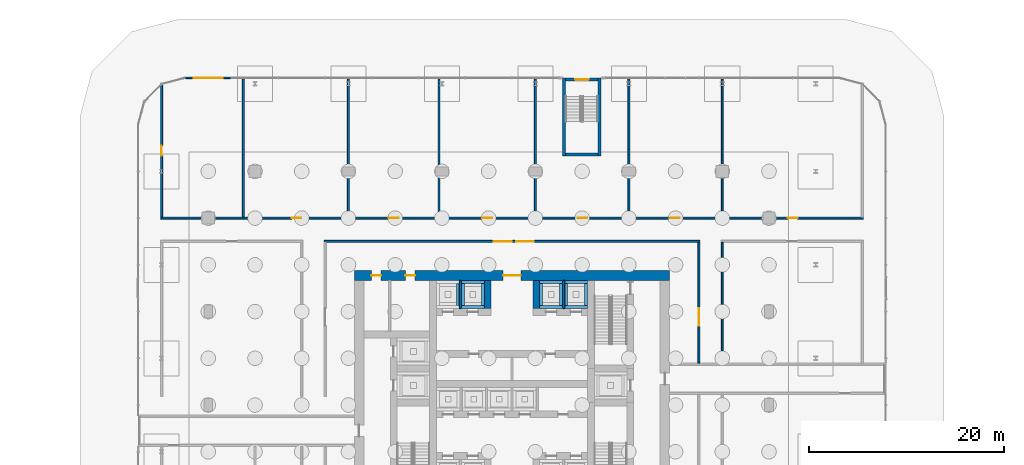
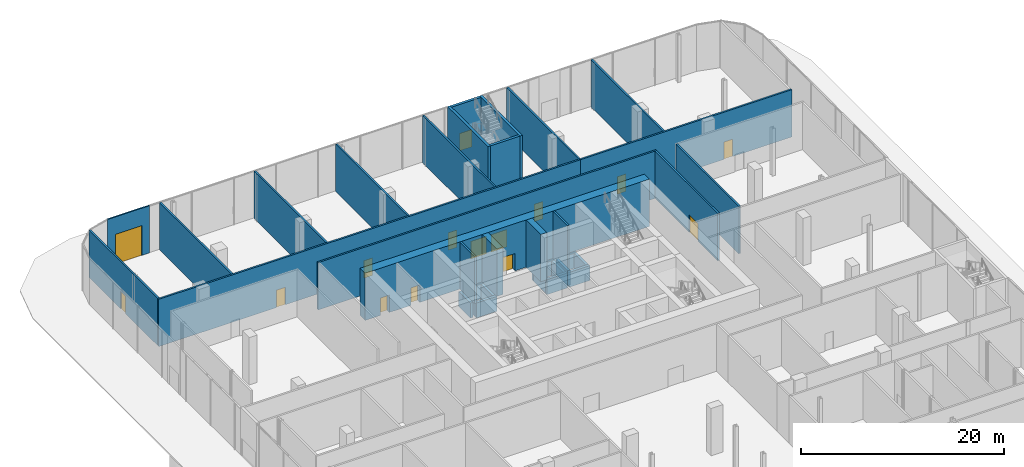
# One storey, part 35 of 44: 35 walls, 15 doors, 15 openings.
"""IFC4 building model written with IfcOpenShell, lengths in metres."""

import ifcopenshell
import ifcopenshell.guid

model = None  # the IFC model being written
_history = None  # IfcOwnerHistory: only IFC2X3 demands one
_inside = {}  # id of a spatial element -> (the spatial element, [elements in it])
_under = {}  # id of a project, library or spatial element -> (it, [spatial elements below it])
_declared = {}  # id of a project -> (the project, [libraries it declares])
_typed = {}  # id of a type object -> (the type object, [elements of that type])
_made_of = {}  # id of a material, layer set ... -> (it, [elements and type objects made of it])


def new_model(schema):
    """Start an empty IFC model of exactly this schema.

    Asked for "IFC4X3", IfcOpenShell would pick the latest addendum, in which some entities
    have other attributes; the version numbers below select the first issue.
    IFC2X3 requires an IfcOwnerHistory on every rooted entity: one is made here for all.
    """
    global model, _history
    if schema == "IFC4X3":
        model = ifcopenshell.file(schema_version=(4, 3, 0, 0))
    else:
        model = ifcopenshell.file(schema=schema)
    _inside.clear()
    _under.clear()
    _declared.clear()
    _typed.clear()
    _made_of.clear()
    _history = None
    if model.schema == "IFC2X3":
        org = make("IfcOrganization", Name="unknown")
        user = make(
            "IfcPersonAndOrganization",
            ThePerson=make("IfcPerson", FamilyName="unknown"),
            TheOrganization=org,
        )
        app = make(
            "IfcApplication",
            ApplicationDeveloper=org,
            Version="unknown",
            ApplicationFullName="unknown",
            ApplicationIdentifier="unknown",
        )
        _history = make(
            "IfcOwnerHistory",
            OwningUser=user,
            OwningApplication=app,
            ChangeAction="ADDED",
            CreationDate=0,
        )
    return model


def make(cls, **values):
    """One entity of the class cls with the attributes given. An attribute that is None is left unset."""
    return model.create_entity(
        cls, **{name: value for name, value in values.items() if value is not None}
    )


def rooted(cls, **values):
    """An entity with a GlobalId (a new one), such as an element, a storey or a relation."""
    return make(cls, GlobalId=ifcopenshell.guid.new(), OwnerHistory=_history, **values)


def si_unit(unit_type, name, prefix=None):
    """IfcSIUnit, for example si_unit("LENGTHUNIT", "METRE", prefix="MILLI")."""
    return make("IfcSIUnit", UnitType=unit_type, Prefix=prefix, Name=name)


def assignment(units):
    """IfcUnitAssignment: the units of a project."""
    return None if units is None else make("IfcUnitAssignment", Units=units)


def point(xyz):
    """IfcCartesianPoint."""
    return None if xyz is None else make("IfcCartesianPoint", Coordinates=xyz)


def direction(xyz):
    """IfcDirection."""
    return None if xyz is None else make("IfcDirection", DirectionRatios=xyz)


def frame(location, z_axis=None, x_axis=None):
    """IfcAxis2Placement3D, a coordinate frame: its origin and axes. An axis left out is left unset."""
    return make(
        "IfcAxis2Placement3D",
        Location=point(location),
        Axis=direction(z_axis),
        RefDirection=direction(x_axis),
    )


def frame_2d(location, x_axis=None):
    """IfcAxis2Placement2D, a coordinate frame in the plane: its origin and x axis."""
    return make(
        "IfcAxis2Placement2D", Location=point(location), RefDirection=direction(x_axis)
    )


def origin():
    """The frame at (0, 0, 0) with its axes left unset."""
    return frame((0.0, 0.0, 0.0))


def place(relative_to, where):
    """IfcLocalPlacement: puts the frame where relative to a parent placement (None: the world)."""
    return make(
        "IfcLocalPlacement", PlacementRelTo=relative_to, RelativePlacement=where
    )


def context(
    kind, dimensions, precision=None, world=None, true_north=None, identifier=None
):
    """IfcGeometricRepresentationContext, for example the 3D "Model" context."""
    return make(
        "IfcGeometricRepresentationContext",
        ContextIdentifier=identifier,
        ContextType=kind,
        CoordinateSpaceDimension=dimensions,
        Precision=precision,
        WorldCoordinateSystem=world,
        TrueNorth=true_north,
    )


def subcontext(parent, identifier, kind, view, scale=None):
    """IfcGeometricRepresentationSubContext, for example "Body" below "Model"."""
    return make(
        "IfcGeometricRepresentationSubContext",
        ContextIdentifier=identifier,
        ContextType=kind,
        ParentContext=parent,
        TargetScale=scale,
        TargetView=view,
    )


def project(units=None, contexts=None):
    """IfcProject with its units and contexts."""
    return rooted(
        "IfcProject",
        Name="project",
        RepresentationContexts=contexts,
        UnitsInContext=assignment(units),
    )


def spatial(cls, under=None, at=None, **own):
    """A site, building, storey or space (cls), placed at a placement, below another one or the project."""
    s = rooted(cls, ObjectPlacement=at, **own)
    if under is not None:
        _under.setdefault(under.id(), (under, []))[1].append(s)
    return s


def profile(cls, at=None, kind="AREA", **sizes):
    """A parametric profile (cls). Its sizes go by their IFC names, for example OverallWidth=200.0."""
    return make(cls, ProfileType=kind, Position=at, **sizes)


def rectangle(**sizes):
    """IfcRectangleProfileDef."""
    return profile("IfcRectangleProfileDef", **sizes)


def extrude(swept, where, along, depth):
    """IfcExtrudedAreaSolid: the profile swept, set in the frame where, extruded along a direction by depth."""
    return make(
        "IfcExtrudedAreaSolid",
        SweptArea=swept,
        Position=where,
        ExtrudedDirection=direction(along),
        Depth=depth,
    )


def shape(context_of_items, identifier, shape_type, items):
    """IfcShapeRepresentation: the items that make up one representation, for example the "Body"."""
    return make(
        "IfcShapeRepresentation",
        ContextOfItems=context_of_items,
        RepresentationIdentifier=identifier,
        RepresentationType=shape_type,
        Items=items,
    )


def material(Name=None, Category=None):
    """IfcMaterial."""
    return make("IfcMaterial", Name=Name, Category=Category)


def layer(
    of_material, thickness, ventilated=None, Name=None, Category=None, Priority=None
):
    """IfcMaterialLayer: one layer of a wall or slab, of a material (None: an air gap)."""
    return make(
        "IfcMaterialLayer",
        Material=of_material,
        LayerThickness=thickness,
        IsVentilated=ventilated,
        Name=Name,
        Category=Category,
        Priority=Priority,
    )


def layer_set(layers, Name=None):
    """IfcMaterialLayerSet."""
    return make("IfcMaterialLayerSet", MaterialLayers=layers, LayerSetName=Name)


def made_of(thing, what):
    """Note that an element or type object is made of a material, layer set ...; save() writes the relation."""
    if what is not None:
        _made_of.setdefault(what.id(), (what, []))[1].append(thing)
    return thing


def type_object(cls, material=None, **own):
    """A type object (cls), such as IfcWallType, which elements share."""
    return made_of(rooted(cls, **own), material)


def element(
    cls,
    number,
    at=None,
    inside=None,
    cuts=None,
    type_object=None,
    material=None,
    context=None,
    identifier="Body",
    shape_type=None,
    held_by="IfcProductDefinitionShape",
    body=None,
    shapes=None,
    **own,
):
    """One element of the class cls, such as IfcWall. Its Tag is "e" and its number.

    at: its placement. inside: the storey or other place that contains it. cuts: it is an
    opening in that element (IfcRelVoidsElement). A single representation is given by context,
    identifier, shape_type and body (its items); several are given by shapes. held_by: the class
    of the entity that holds the representations. save() writes the other relations.
    """
    e = rooted(cls, Tag="e%d" % number, ObjectPlacement=at, **own)
    if body is not None:
        shapes = [shape(context, identifier, shape_type, body)]
    if shapes is not None:
        e.Representation = make(held_by, Representations=shapes)
    if inside is not None:
        _inside.setdefault(inside.id(), (inside, []))[1].append(e)
    if cuts is not None:
        rooted(
            "IfcRelVoidsElement", RelatingBuildingElement=cuts, RelatedOpeningElement=e
        )
    if type_object is not None:
        _typed.setdefault(type_object.id(), (type_object, []))[1].append(e)
    return made_of(e, material)


def fill(opening, filler):
    """IfcRelFillsElement: the door or window that sits in an opening."""
    return rooted(
        "IfcRelFillsElement",
        RelatingOpeningElement=opening,
        RelatedBuildingElement=filler,
    )


def aggregate(whole, parts):
    """IfcRelAggregates: a whole, such as a stair, and the parts it consists of."""
    return rooted("IfcRelAggregates", RelatingObject=whole, RelatedObjects=parts)


def save(model, path):
    """Write the relations noted so far, then the file.

    IfcRelAggregates (storeys below a building ...), IfcRelContainedInSpatialStructure (elements
    in a storey), IfcRelDefinesByType, IfcRelAssociatesMaterial and IfcRelDeclares: one each for
    every whole, place, type object, material and project.
    """
    for whole, parts in _under.values():
        aggregate(whole, parts)
    for where, things in _inside.values():
        rooted(
            "IfcRelContainedInSpatialStructure",
            RelatedElements=things,
            RelatingStructure=where,
        )
    for kind, things in _typed.values():
        rooted("IfcRelDefinesByType", RelatedObjects=things, RelatingType=kind)
    for what, things in _made_of.values():
        rooted("IfcRelAssociatesMaterial", RelatedObjects=things, RelatingMaterial=what)
    for by, libraries in _declared.values():
        rooted("IfcRelDeclares", RelatingContext=by, RelatedDefinitions=libraries)
    model.write(path)


model = new_model("IFC4")

# Units and contexts
model_context = context("Model", 3, precision=1e-05, world=origin(), true_north=direction((0.0, 1.0)))
body_context = subcontext(model_context, "Body", "Model", "MODEL_VIEW")
ifc_project = project(units=[si_unit("LENGTHUNIT", "METRE"), si_unit("AREAUNIT", "SQUARE_METRE"), si_unit("VOLUMEUNIT", "CUBIC_METRE"), si_unit("PLANEANGLEUNIT", "RADIAN"), si_unit("MASSUNIT", "GRAM", prefix="KILO")], contexts=[model_context])

# Site, building, storey
site_placement = place(None, origin())
site = spatial("IfcSite", under=ifc_project, at=site_placement, CompositionType="ELEMENT")
building_placement = place(site_placement, origin())
building = spatial("IfcBuilding", under=site, at=building_placement, Name="Madar Terraces", CompositionType="ELEMENT")
storey_placement = place(building_placement, origin())
storey = spatial("IfcBuildingStorey", under=building, at=storey_placement, Name="L00", CompositionType="ELEMENT", Elevation=0.0)

# Walls
ifc_material_1 = material(Name="Concrete C80/95", Category="concrete")
ifc_layer_1 = layer(ifc_material_1, 0.699951171875)
ifc_layer_set_1 = layer_set([ifc_layer_1], Name="Concrete C80/95 (CIW1 RC wall 700)")
wall_type_1 = type_object("IfcWallType", Name="CIW1 RC wall 700", PredefinedType="SHEAR", material=ifc_layer_set_1)
for number, where, z_axis, x_axis, name in (
    (1, (28.699951171875, 33.89990234375, 0.0), (0.0, 0.0, 1.0), (0.0, 1.0, 0.0), "CORE SHAFT WALL"),
    (2, (33.699951171875, 33.89990234375, 0.0), (0.0, 0.0, 1.0), (0.0, 1.0, 0.0), "CORE SHAFT WALL"),
):
    element("IfcWall", number, at=place(storey_placement, frame(where, z_axis=z_axis, x_axis=x_axis)), inside=storey, type_object=wall_type_1, Name=name, PredefinedType="SHEAR", context=body_context, shape_type="SweptSolid", body=[
        extrude(rectangle(XDim=2.900146484375, YDim=0.699951171875, at=frame_2d((1.4501953125, 0.0))), origin(), (0.0, 0.0, 1.0), 5.699951171875),
    ])

# Wall, openings, doors
ifc_material_2 = material(Name="Concrete C80/95", Category="concrete")
ifc_layer_2 = layer(ifc_material_2, 1.0)
ifc_layer_set_2 = layer_set([ifc_layer_2], Name="Concrete C80/95 (CRW1 RC wall 1000)")
wall_type_2 = type_object("IfcWallType", Name="CRW1 RC wall 1000", PredefinedType="SHEAR", material=ifc_layer_set_2)
wall_1_placement = place(storey_placement, frame((15.0, 37.300048828125, 0.0), z_axis=(0.0, 0.0, 1.0), x_axis=(1.0, 0.0, 0.0)))
wall_1 = element("IfcWall", 3, at=wall_1_placement, inside=storey, type_object=wall_type_2, Name="CORE OUTER WALL", PredefinedType="SHEAR", context=body_context, shape_type="SweptSolid", body=[
    extrude(rectangle(XDim=32.39990234375, YDim=1.0, at=frame_2d((16.199951171875, 0.0))), origin(), (0.0, 0.0, 1.0), 5.699951171875),
])
opening_1_placement = place(wall_1_placement, frame((15.300048828125, 0.0, 0.0)))
opening_1 = element("IfcOpeningElement", 4, at=opening_1_placement, cuts=wall_1, Name="Opening KD1", PredefinedType="OPENING", context=body_context, shape_type="SweptSolid", body=[
    extrude(rectangle(XDim=1.800048828125, YDim=2.10009765625, at=frame_2d((0.89990234375, 1.050048828125))), frame((0.0, 0.510009765625, 0.0), z_axis=(0.0, -1.0, 0.0), x_axis=(1.0, 0.0, 0.0)), (0.0, 0.0, 1.0), 1.02001953125),
])
opening_2_placement = place(wall_1_placement, frame((1.766357421875, 0.0, 0.0)))
opening_2 = element("IfcOpeningElement", 5, at=opening_2_placement, cuts=wall_1, Name="Opening KD2", PredefinedType="OPENING", context=body_context, shape_type="SweptSolid", body=[
    extrude(rectangle(XDim=1.0, YDim=2.10009765625, at=frame_2d((0.5, 1.050048828125))), frame((0.0, 0.510009765625, 0.0), z_axis=(0.0, -1.0, 0.0), x_axis=(1.0, 0.0, 0.0)), (0.0, 0.0, 1.0), 1.02001953125),
])
opening_3_placement = place(wall_1_placement, frame((5.2412109375, 0.0, 0.0)))
opening_3 = element("IfcOpeningElement", 6, at=opening_3_placement, cuts=wall_1, Name="Opening KD2", PredefinedType="OPENING", context=body_context, shape_type="SweptSolid", body=[
    extrude(rectangle(XDim=1.0, YDim=2.10009765625, at=frame_2d((0.5, 1.050048828125))), frame((0.0, 0.510009765625, 0.0), z_axis=(0.0, -1.0, 0.0), x_axis=(1.0, 0.0, 0.0)), (0.0, 0.0, 1.0), 1.02001953125),
])
ifc_material_3 = material(Name="Steel door leaf", Category="steel")
door_type_1 = type_object("IfcDoorType", Name="Lobby door pair 1800 x 2100", OperationType="DOUBLE_DOOR_SINGLE_SWING", PredefinedType="DOOR", material=ifc_material_3)
door_1_placement = place(opening_1_placement, origin())
door_1 = element("IfcDoor", 7, at=door_1_placement, inside=storey, type_object=door_type_1, Name="LIFT LOBBY DOOR", OperationType="DOUBLE_DOOR_SINGLE_SWING", OverallHeight=2.10009765625, OverallWidth=1.800048828125, PredefinedType="DOOR", context=body_context, shape_type="SweptSolid", body=[
    extrude(rectangle(XDim=1.800048828125, YDim=2.10009765625, at=frame_2d((0.89990234375, 1.050048828125))), frame((0.0, 0.02490234375, 0.0), z_axis=(0.0, -1.0, 0.0), x_axis=(1.0, 0.0, 0.0)), (0.0, 0.0, 1.0), 0.050048828125),
])
fill(opening_1, door_1)
ifc_material_4 = material(Name="Steel door leaf", Category="steel")
door_type_2 = type_object("IfcDoorType", Name="Service room door 1000 x 2100", OperationType="NOTDEFINED", PredefinedType="DOOR", material=ifc_material_4)
door_2_placement = place(opening_2_placement, origin())
door_2 = element("IfcDoor", 8, at=door_2_placement, inside=storey, type_object=door_type_2, Name="SERVICE ROOM DOOR", OperationType="SINGLE_SWING_LEFT", OverallHeight=2.10009765625, OverallWidth=1.0, PredefinedType="DOOR", context=body_context, shape_type="SweptSolid", body=[
    extrude(rectangle(XDim=1.0, YDim=2.10009765625, at=frame_2d((0.5, 1.050048828125))), frame((0.0, 0.02490234375, 0.0), z_axis=(0.0, -1.0, 0.0), x_axis=(1.0, 0.0, 0.0)), (0.0, 0.0, 1.0), 0.050048828125),
])
fill(opening_2, door_2)
door_3_placement = place(opening_3_placement, origin())
door_3 = element("IfcDoor", 9, at=door_3_placement, inside=storey, type_object=door_type_2, Name="SERVICE ROOM DOOR", OperationType="SINGLE_SWING_RIGHT", OverallHeight=2.10009765625, OverallWidth=1.0, PredefinedType="DOOR", context=body_context, shape_type="SweptSolid", body=[
    extrude(rectangle(XDim=1.0, YDim=2.10009765625, at=frame_2d((0.5, 1.050048828125))), frame((0.0, 0.02490234375, 0.0), z_axis=(0.0, -1.0, 0.0), x_axis=(1.0, 0.0, 0.0)), (0.0, 0.0, 1.0), 0.050048828125),
])
fill(opening_3, door_3)

# Walls
ifc_material_5 = material(Name="Concrete C40/50", Category="concrete")
ifc_layer_3 = layer(ifc_material_5, 0.199951171875)
ifc_layer_set_3 = layer_set([ifc_layer_3], Name="Core shaft dividing wall 200 C40/50")
wall_type_3 = type_object("IfcWallType", Name="Core shaft dividing wall 200 C40/50", PredefinedType="SOLIDWALL", material=ifc_layer_set_3)
for number, where, z_axis, x_axis, name in (
    (10, (25.89990234375, 33.89990234375, 0.0), (0.0, 0.0, 1.0), (0.0, 1.0, 0.0), "SHAFT DIVIDING WALL"),
    (11, (36.5, 33.89990234375, 0.0), (0.0, 0.0, 1.0), (0.0, 1.0, 0.0), "SHAFT DIVIDING WALL"),
):
    element("IfcWall", number, at=place(storey_placement, frame(where, z_axis=z_axis, x_axis=x_axis)), inside=storey, type_object=wall_type_3, Name=name, PredefinedType="SOLIDWALL", context=body_context, shape_type="SweptSolid", body=[
        extrude(rectangle(XDim=2.900146484375, YDim=0.199951171875, at=frame_2d((1.4501953125, 0.0))), origin(), (0.0, 0.0, 1.0), 5.699951171875),
    ])

# Wall, opening, door
ifc_material_6 = material(Name="Aluminium composite panel, black, over insulated backing", Category="aluminium")
ifc_layer_4 = layer(ifc_material_6, 0.14990234375)
ifc_layer_set_4 = layer_set([ifc_layer_4], Name="Facade bay panel 150")
wall_type_4 = type_object("IfcWallType", Name="Facade bay panel 150", PredefinedType="SOLIDWALL", material=ifc_layer_set_4)
wall_2_placement = place(storey_placement, frame((2.39990234375, 57.60009765625, 0.0), z_axis=(0.0, 0.0, 1.0), x_axis=(-1.0, 0.0, 0.0)))
wall_2 = element("IfcWall", 12, at=wall_2_placement, inside=storey, type_object=wall_type_4, Name="Facade bay panel", PredefinedType="SOLIDWALL", context=body_context, shape_type="SweptSolid", body=[
    extrude(rectangle(XDim=4.7998046875, YDim=0.14990234375, at=frame_2d((2.39990234375, 0.0))), origin(), (0.0, 0.0, 1.0), 5.699951171875),
])
opening_4_placement = place(wall_2_placement, frame((0.89990234375, 0.0, 0.0)))
opening_4 = element("IfcOpeningElement", 13, at=opening_4_placement, cuts=wall_2, Name="Opening ED6", PredefinedType="OPENING", context=body_context, shape_type="SweptSolid", body=[
    extrude(rectangle(XDim=3.0, YDim=3.60009765625, at=frame_2d((1.5, 1.800048828125))), frame((0.0, 0.0849609375, 0.0), z_axis=(0.0, -1.0, 0.0), x_axis=(1.0, 0.0, 0.0)), (0.0, 0.0, 1.0), 0.169921875),
])
ifc_material_7 = material(Name="Steel, galvanised", Category="steel")
door_type_3 = type_object("IfcDoorType", Name="Roller shutter door 3000 x 3600", OperationType="ROLLINGUP", PredefinedType="DOOR", material=ifc_material_7)
door_4_placement = place(opening_4_placement, origin())
door_4 = element("IfcDoor", 14, at=door_4_placement, inside=storey, type_object=door_type_3, Name="Loading door", OperationType="ROLLINGUP", OverallHeight=3.60009765625, OverallWidth=3.0, PredefinedType="DOOR", context=body_context, shape_type="SweptSolid", body=[
    extrude(rectangle(XDim=3.0, YDim=3.60009765625, at=frame_2d((1.5, 1.800048828125))), frame((0.0, 0.02490234375, 0.0), z_axis=(0.0, -1.0, 0.0), x_axis=(1.0, 0.0, 0.0)), (0.0, 0.0, 1.0), 0.050048828125),
])
fill(opening_4, door_4)

# Walls
ifc_material_8 = material(Name="Concrete C40/50", Category="concrete")
ifc_layer_5 = layer(ifc_material_8, 0.300048828125)
ifc_layer_set_5 = layer_set([ifc_layer_5], Name="Lift pit wall 300 C40/50")
wall_type_5 = type_object("IfcWallType", Name="Lift pit wall 300 C40/50", PredefinedType="SOLIDWALL", material=ifc_layer_set_5)
wall_3_placement = place(storey_placement, frame((25.64990234375, 34.199951171875, -1.800048828125), z_axis=(0.0, 0.0, 1.0), x_axis=(0.0, 1.0, 0.0)))
element("IfcWall", 15, at=wall_3_placement, inside=storey, type_object=wall_type_5, Name="LIFT PIT WALL SH1", PredefinedType="SOLIDWALL", context=body_context, shape_type="SweptSolid", body=[
    extrude(rectangle(XDim=2.300048828125, YDim=0.300048828125, at=frame_2d((1.14990234375, 0.0))), origin(), (0.0, 0.0, 1.0), 1.800048828125),
])
for number, where, z_axis, x_axis, name in (
    (16, (26.0, 34.050048828125, -1.800048828125), (0.0, 0.0, 1.0), (1.0, 0.0, 0.0), "LIFT PIT WALL SH2"),
    (17, (26.0, 36.64990234375, -1.800048828125), (0.0, 0.0, 1.0), (1.0, 0.0, 0.0), "LIFT PIT WALL SH2"),
):
    element("IfcWall", number, at=place(storey_placement, frame(where, z_axis=z_axis, x_axis=x_axis)), inside=storey, type_object=wall_type_5, Name=name, PredefinedType="SOLIDWALL", context=body_context, shape_type="SweptSolid", body=[
        extrude(rectangle(XDim=2.35009765625, YDim=0.300048828125, at=frame_2d((1.175048828125, 0.0))), origin(), (0.0, 0.0, 1.0), 1.800048828125),
    ])
for number, where, z_axis, x_axis, name in (
    (18, (26.14990234375, 34.199951171875, -1.800048828125), (0.0, 0.0, 1.0), (0.0, 1.0, 0.0), "LIFT PIT WALL SH2"),
    (19, (28.199951171875, 34.199951171875, -1.800048828125), (0.0, 0.0, 1.0), (0.0, 1.0, 0.0), "LIFT PIT WALL SH2"),
):
    element("IfcWall", number, at=place(storey_placement, frame(where, z_axis=z_axis, x_axis=x_axis)), inside=storey, type_object=wall_type_5, Name=name, PredefinedType="SOLIDWALL", context=body_context, shape_type="SweptSolid", body=[
        extrude(rectangle(XDim=2.300048828125, YDim=0.300048828125, at=frame_2d((1.14990234375, 0.0))), origin(), (0.0, 0.0, 1.0), 1.800048828125),
    ])
for number, where, z_axis, x_axis, name in (
    (20, (34.050048828125, 34.050048828125, -1.800048828125), (0.0, 0.0, 1.0), (1.0, 0.0, 0.0), "LIFT PIT WALL SH3"),
    (21, (34.050048828125, 36.64990234375, -1.800048828125), (0.0, 0.0, 1.0), (1.0, 0.0, 0.0), "LIFT PIT WALL SH3"),
):
    element("IfcWall", number, at=place(storey_placement, frame(where, z_axis=z_axis, x_axis=x_axis)), inside=storey, type_object=wall_type_5, Name=name, PredefinedType="SOLIDWALL", context=body_context, shape_type="SweptSolid", body=[
        extrude(rectangle(XDim=2.349853515625, YDim=0.300048828125, at=frame_2d((1.1748046875, 0.0))), origin(), (0.0, 0.0, 1.0), 1.800048828125),
    ])
for number, where, z_axis, x_axis, name in (
    (22, (34.199951171875, 34.199951171875, -1.800048828125), (0.0, 0.0, 1.0), (0.0, 1.0, 0.0), "LIFT PIT WALL SH3"),
    (23, (36.25, 34.199951171875, -1.800048828125), (0.0, 0.0, 1.0), (0.0, 1.0, 0.0), "LIFT PIT WALL SH3"),
):
    element("IfcWall", number, at=place(storey_placement, frame(where, z_axis=z_axis, x_axis=x_axis)), inside=storey, type_object=wall_type_5, Name=name, PredefinedType="SOLIDWALL", context=body_context, shape_type="SweptSolid", body=[
        extrude(rectangle(XDim=2.300048828125, YDim=0.300048828125, at=frame_2d((1.14990234375, 0.0))), origin(), (0.0, 0.0, 1.0), 1.800048828125),
    ])
for number, where, z_axis, x_axis, name in (
    (24, (36.60009765625, 34.050048828125, -1.800048828125), (0.0, 0.0, 1.0), (1.0, 0.0, 0.0), "LIFT PIT WALL SH4"),
    (25, (36.60009765625, 36.64990234375, -1.800048828125), (0.0, 0.0, 1.0), (1.0, 0.0, 0.0), "LIFT PIT WALL SH4"),
):
    element("IfcWall", number, at=place(storey_placement, frame(where, z_axis=z_axis, x_axis=x_axis)), inside=storey, type_object=wall_type_5, Name=name, PredefinedType="SOLIDWALL", context=body_context, shape_type="SweptSolid", body=[
        extrude(rectangle(XDim=2.349853515625, YDim=0.300048828125, at=frame_2d((1.1748046875, 0.0))), origin(), (0.0, 0.0, 1.0), 1.800048828125),
    ])
for number, where, z_axis, x_axis, name in (
    (26, (36.75, 34.199951171875, -1.800048828125), (0.0, 0.0, 1.0), (0.0, 1.0, 0.0), "LIFT PIT WALL SH4"),
    (27, (38.800048828125, 34.199951171875, -1.800048828125), (0.0, 0.0, 1.0), (0.0, 1.0, 0.0), "LIFT PIT WALL SH4"),
):
    element("IfcWall", number, at=place(storey_placement, frame(where, z_axis=z_axis, x_axis=x_axis)), inside=storey, type_object=wall_type_5, Name=name, PredefinedType="SOLIDWALL", context=body_context, shape_type="SweptSolid", body=[
        extrude(rectangle(XDim=2.300048828125, YDim=0.300048828125, at=frame_2d((1.14990234375, 0.0))), origin(), (0.0, 0.0, 1.0), 1.800048828125),
    ])

# Wall, openings, doors
ifc_material_9 = material(Name="Blockwork", Category="masonry")
ifc_layer_6 = layer(ifc_material_9, 0.199951171875)
ifc_layer_set_6 = layer_set([ifc_layer_6], Name="Partition 200 EI 120")
wall_type_6 = type_object("IfcWallType", Name="Partition 200 EI 120", PredefinedType="PARTITIONING", material=ifc_layer_set_6)
wall_4_placement = place(storey_placement, frame((43.199951171875, 43.199951171875, 0.0), z_axis=(0.0, 0.0, 1.0), x_axis=(1.0, 0.0, 0.0)))
wall_4 = element("IfcWall", 28, at=wall_4_placement, inside=storey, type_object=wall_type_6, Name="Wall ENERGY CENTRE + GENERATOR ROOM", PredefinedType="PARTITIONING", context=body_context, shape_type="SweptSolid", body=[
    extrude(rectangle(XDim=24.10009765625, YDim=0.199951171875, at=frame_2d((12.050048828125, 0.0))), origin(), (0.0, 0.0, 1.0), 5.699951171875),
])
opening_5_placement = place(wall_4_placement, frame((4.25, 0.0, 0.0)))
opening_5 = element("IfcOpeningElement", 29, at=opening_5_placement, cuts=wall_4, Name="Opening D33", PredefinedType="OPENING", context=body_context, shape_type="SweptSolid", body=[
    extrude(rectangle(XDim=1.0, YDim=2.10009765625, at=frame_2d((0.5, 1.050048828125))), frame((0.0, 0.10986328125, 0.0), z_axis=(0.0, -1.0, 0.0), x_axis=(1.0, 0.0, 0.0)), (0.0, 0.0, 1.0), 0.219970703125),
])
opening_6_placement = place(wall_4_placement, frame((16.35009765625, 0.0, 0.0)))
opening_6 = element("IfcOpeningElement", 30, at=opening_6_placement, cuts=wall_4, Name="Opening D33", PredefinedType="OPENING", context=body_context, shape_type="SweptSolid", body=[
    extrude(rectangle(XDim=1.0, YDim=2.10009765625, at=frame_2d((0.5, 1.050048828125))), frame((0.0, 0.10986328125, 0.0), z_axis=(0.0, -1.0, 0.0), x_axis=(1.0, 0.0, 0.0)), (0.0, 0.0, 1.0), 0.219970703125),
])
ifc_material_10 = material(Name="Timber door leaf, fire-rated", Category="wood")
door_type_4 = type_object("IfcDoorType", Name="Podium door 1000 x 2100 FD90S", OperationType="NOTDEFINED", PredefinedType="DOOR", material=ifc_material_10)
door_5_placement = place(opening_5_placement, origin())
door_5 = element("IfcDoor", 31, at=door_5_placement, inside=storey, type_object=door_type_4, Name="Door GENERATOR ROOM / PODIUM CORRIDOR", OperationType="SINGLE_SWING_LEFT", OverallHeight=2.10009765625, OverallWidth=1.0, PredefinedType="DOOR", context=body_context, shape_type="SweptSolid", body=[
    extrude(rectangle(XDim=1.0, YDim=2.10009765625, at=frame_2d((0.5, 1.050048828125))), frame((0.0, 0.02490234375, 0.0), z_axis=(0.0, -1.0, 0.0), x_axis=(1.0, 0.0, 0.0)), (0.0, 0.0, 1.0), 0.050048828125),
])
fill(opening_5, door_5)
door_6_placement = place(opening_6_placement, origin())
door_6 = element("IfcDoor", 32, at=door_6_placement, inside=storey, type_object=door_type_4, Name="Door ENERGY CENTRE / PODIUM CORRIDOR", OperationType="SINGLE_SWING_LEFT", OverallHeight=2.10009765625, OverallWidth=1.0, PredefinedType="DOOR", context=body_context, shape_type="SweptSolid", body=[
    extrude(rectangle(XDim=1.0, YDim=2.10009765625, at=frame_2d((0.5, 1.050048828125))), frame((0.0, 0.02490234375, 0.0), z_axis=(0.0, -1.0, 0.0), x_axis=(1.0, 0.0, 0.0)), (0.0, 0.0, 1.0), 0.050048828125),
])
fill(opening_6, door_6)

# Walls
for number, where, z_axis, x_axis, name in (
    (33, (43.199951171875, 43.300048828125, 0.0), (0.0, 0.0, 1.0), (0.0, 1.0, 0.0), "Wall SECURITY ROOM / GENERATOR ROOM"),
    (34, (52.800048828125, 43.300048828125, 0.0), (0.0, 0.0, 1.0), (0.0, 1.0, 0.0), "Wall GENERATOR ROOM / ENERGY CENTRE"),
):
    element("IfcWall", number, at=place(storey_placement, frame(where, z_axis=z_axis, x_axis=x_axis)), inside=storey, type_object=wall_type_6, Name=name, PredefinedType="PARTITIONING", context=body_context, shape_type="SweptSolid", body=[
        extrude(rectangle(XDim=14.199951171875, YDim=0.199951171875, at=frame_2d((7.10009765625, 0.0))), origin(), (0.0, 0.0, 1.0), 5.699951171875),
    ])

# Wall, openings, doors
ifc_material_11 = material(Name="Gypsum board partition, fire-rated")
ifc_layer_7 = layer(ifc_material_11, 0.199951171875)
ifc_layer_set_7 = layer_set([ifc_layer_7], Name="Partition 200 EI 60")
wall_type_7 = type_object("IfcWallType", Name="Partition 200 EI 60", PredefinedType="PARTITIONING", material=ifc_layer_set_7)
wall_5_placement = place(storey_placement, frame((50.5, 40.800048828125, 0.0), z_axis=(0.0, 0.0, 1.0), x_axis=(-1.0, 0.0, 0.0)))
wall_5 = element("IfcWall", 35, at=wall_5_placement, inside=storey, type_object=wall_type_7, Name="Wall PODIUM CORRIDOR / RING CORRIDOR", PredefinedType="PARTITIONING", context=body_context, shape_type="SweptSolid", body=[
    extrude(rectangle(XDim=38.60009765625, YDim=0.199951171875, at=frame_2d((19.300048828125, 0.0))), origin(), (0.0, 0.0, 1.0), 5.699951171875),
])
opening_7_placement = place(wall_5_placement, frame((19.35009765625, 0.0, 0.0)))
opening_7 = element("IfcOpeningElement", 36, at=opening_7_placement, cuts=wall_5, Name="Opening D30", PredefinedType="OPENING", context=body_context, shape_type="SweptSolid", body=[
    extrude(rectangle(XDim=1.800048828125, YDim=2.10009765625, at=frame_2d((0.89990234375, 1.050048828125))), frame((0.0, 0.10986328125, 0.0), z_axis=(0.0, -1.0, 0.0), x_axis=(1.0, 0.0, 0.0)), (0.0, 0.0, 1.0), 0.219970703125),
])
opening_8_placement = place(wall_5_placement, frame((17.050048828125, 0.0, 0.0)))
opening_8 = element("IfcOpeningElement", 37, at=opening_8_placement, cuts=wall_5, Name="Opening D30", PredefinedType="OPENING", context=body_context, shape_type="SweptSolid", body=[
    extrude(rectangle(XDim=1.800048828125, YDim=2.10009765625, at=frame_2d((0.89990234375, 1.050048828125))), frame((0.0, 0.10986328125, 0.0), z_axis=(0.0, -1.0, 0.0), x_axis=(1.0, 0.0, 0.0)), (0.0, 0.0, 1.0), 0.219970703125),
])
ifc_material_12 = material(Name="Timber door leaf, fire-rated", Category="wood")
door_type_5 = type_object("IfcDoorType", Name="Podium double door 1800 x 2100 FD30S", OperationType="DOUBLE_DOOR_SINGLE_SWING", PredefinedType="DOOR", material=ifc_material_12)
door_7_placement = place(opening_7_placement, origin())
door_7 = element("IfcDoor", 38, at=door_7_placement, inside=storey, type_object=door_type_5, Name="Door PODIUM CORRIDOR / RING CORRIDOR", OperationType="DOUBLE_DOOR_SINGLE_SWING", OverallHeight=2.10009765625, OverallWidth=1.800048828125, PredefinedType="DOOR", context=body_context, shape_type="SweptSolid", body=[
    extrude(rectangle(XDim=1.800048828125, YDim=2.10009765625, at=frame_2d((0.89990234375, 1.050048828125))), frame((0.0, 0.02490234375, 0.0), z_axis=(0.0, -1.0, 0.0), x_axis=(1.0, 0.0, 0.0)), (0.0, 0.0, 1.0), 0.050048828125),
])
fill(opening_7, door_7)
door_8_placement = place(opening_8_placement, origin())
door_8 = element("IfcDoor", 39, at=door_8_placement, inside=storey, type_object=door_type_5, Name="Door PODIUM CORRIDOR / RING CORRIDOR", OperationType="DOUBLE_DOOR_SINGLE_SWING", OverallHeight=2.10009765625, OverallWidth=1.800048828125, PredefinedType="DOOR", context=body_context, shape_type="SweptSolid", body=[
    extrude(rectangle(XDim=1.800048828125, YDim=2.10009765625, at=frame_2d((0.89990234375, 1.050048828125))), frame((0.0, 0.02490234375, 0.0), z_axis=(0.0, -1.0, 0.0), x_axis=(1.0, 0.0, 0.0)), (0.0, 0.0, 1.0), 0.050048828125),
])
fill(opening_8, door_8)

wall_6_placement = place(storey_placement, frame((-4.89990234375, 43.199951171875, 0.0), z_axis=(0.0, 0.0, 1.0), x_axis=(1.0, 0.0, 0.0)))
wall_6 = element("IfcWall", 40, at=wall_6_placement, inside=storey, type_object=wall_type_7, Name="Wall BIN STORE + BUILDING MANAGEMENT OFFICE", PredefinedType="PARTITIONING", context=body_context, shape_type="SweptSolid", body=[
    extrude(rectangle(XDim=48.099853515625, YDim=0.199951171875, at=frame_2d((24.0498046875, 0.0))), origin(), (0.0, 0.0, 1.0), 5.699951171875),
])
opening_9_placement = place(wall_6_placement, frame((13.449951171875, 0.0, 0.0)))
opening_9 = element("IfcOpeningElement", 41, at=opening_9_placement, cuts=wall_6, Name="Opening D31", PredefinedType="OPENING", context=body_context, shape_type="SweptSolid", body=[
    extrude(rectangle(XDim=1.0, YDim=2.10009765625, at=frame_2d((0.5, 1.050048828125))), frame((0.0, 0.10986328125, 0.0), z_axis=(0.0, -1.0, 0.0), x_axis=(1.0, 0.0, 0.0)), (0.0, 0.0, 1.0), 0.219970703125),
])
opening_10_placement = place(wall_6_placement, frame((23.449951171875, 0.0, 0.0)))
opening_10 = element("IfcOpeningElement", 42, at=opening_10_placement, cuts=wall_6, Name="Opening D31", PredefinedType="OPENING", context=body_context, shape_type="SweptSolid", body=[
    extrude(rectangle(XDim=1.0, YDim=2.10009765625, at=frame_2d((0.5, 1.050048828125))), frame((0.0, 0.10986328125, 0.0), z_axis=(0.0, -1.0, 0.0), x_axis=(1.0, 0.0, 0.0)), (0.0, 0.0, 1.0), 0.219970703125),
])
opening_11_placement = place(wall_6_placement, frame((33.050048828125, 0.0, 0.0)))
opening_11 = element("IfcOpeningElement", 43, at=opening_11_placement, cuts=wall_6, Name="Opening D31", PredefinedType="OPENING", context=body_context, shape_type="SweptSolid", body=[
    extrude(rectangle(XDim=1.0, YDim=2.10009765625, at=frame_2d((0.5, 1.050048828125))), frame((0.0, 0.10986328125, 0.0), z_axis=(0.0, -1.0, 0.0), x_axis=(1.0, 0.0, 0.0)), (0.0, 0.0, 1.0), 0.219970703125),
])
opening_12_placement = place(wall_6_placement, frame((42.85009765625, 0.0, 0.0)))
opening_12 = element("IfcOpeningElement", 44, at=opening_12_placement, cuts=wall_6, Name="Opening D31", PredefinedType="OPENING", context=body_context, shape_type="SweptSolid", body=[
    extrude(rectangle(XDim=1.0, YDim=2.10009765625, at=frame_2d((0.5, 1.050048828125))), frame((0.0, 0.10986328125, 0.0), z_axis=(0.0, -1.0, 0.0), x_axis=(1.0, 0.0, 0.0)), (0.0, 0.0, 1.0), 0.219970703125),
])
ifc_material_13 = material(Name="Timber door leaf, fire-rated", Category="wood")
door_type_6 = type_object("IfcDoorType", Name="Podium door 1000 x 2100 FD30S", OperationType="NOTDEFINED", PredefinedType="DOOR", material=ifc_material_13)
door_9_placement = place(opening_9_placement, origin())
door_9 = element("IfcDoor", 45, at=door_9_placement, inside=storey, type_object=door_type_6, Name="Door BIN STORE / PODIUM CORRIDOR", OperationType="SINGLE_SWING_RIGHT", OverallHeight=2.10009765625, OverallWidth=1.0, PredefinedType="DOOR", context=body_context, shape_type="SweptSolid", body=[
    extrude(rectangle(XDim=1.0, YDim=2.10009765625, at=frame_2d((0.5, 1.050048828125))), frame((0.0, 0.02490234375, 0.0), z_axis=(0.0, -1.0, 0.0), x_axis=(1.0, 0.0, 0.0)), (0.0, 0.0, 1.0), 0.050048828125),
])
fill(opening_9, door_9)
door_10_placement = place(opening_10_placement, origin())
door_10 = element("IfcDoor", 46, at=door_10_placement, inside=storey, type_object=door_type_6, Name="Door MAINTENANCE WORKSHOP / PODIUM CORRIDOR", OperationType="SINGLE_SWING_RIGHT", OverallHeight=2.10009765625, OverallWidth=1.0, PredefinedType="DOOR", context=body_context, shape_type="SweptSolid", body=[
    extrude(rectangle(XDim=1.0, YDim=2.10009765625, at=frame_2d((0.5, 1.050048828125))), frame((0.0, 0.02490234375, 0.0), z_axis=(0.0, -1.0, 0.0), x_axis=(1.0, 0.0, 0.0)), (0.0, 0.0, 1.0), 0.050048828125),
])
fill(opening_10, door_10)
door_11_placement = place(opening_11_placement, origin())
door_11 = element("IfcDoor", 47, at=door_11_placement, inside=storey, type_object=door_type_6, Name="Door BUILDING MANAGEMENT OFFICE / PODIUM CORRIDOR", OperationType="SINGLE_SWING_LEFT", OverallHeight=2.10009765625, OverallWidth=1.0, PredefinedType="DOOR", context=body_context, shape_type="SweptSolid", body=[
    extrude(rectangle(XDim=1.0, YDim=2.10009765625, at=frame_2d((0.5, 1.050048828125))), frame((0.0, 0.02490234375, 0.0), z_axis=(0.0, -1.0, 0.0), x_axis=(1.0, 0.0, 0.0)), (0.0, 0.0, 1.0), 0.050048828125),
])
fill(opening_11, door_11)
door_12_placement = place(opening_12_placement, origin())
door_12 = element("IfcDoor", 48, at=door_12_placement, inside=storey, type_object=door_type_6, Name="Door SECURITY ROOM / PODIUM CORRIDOR", OperationType="SINGLE_SWING_RIGHT", OverallHeight=2.10009765625, OverallWidth=1.0, PredefinedType="DOOR", context=body_context, shape_type="SweptSolid", body=[
    extrude(rectangle(XDim=1.0, YDim=2.10009765625, at=frame_2d((0.5, 1.050048828125))), frame((0.0, 0.02490234375, 0.0), z_axis=(0.0, -1.0, 0.0), x_axis=(1.0, 0.0, 0.0)), (0.0, 0.0, 1.0), 0.050048828125),
])
fill(opening_12, door_12)

# Wall, opening, door
wall_7_placement = place(storey_placement, frame((-4.800048828125, 56.860107421875, 0.0), z_axis=(0.0, 0.0, 1.0), x_axis=(0.0, -1.0, 0.0)))
wall_7 = element("IfcWall", 49, at=wall_7_placement, inside=storey, type_object=wall_type_7, Name="Wall REFUSE AND GOODS ROOM / PODIUM CORRIDOR", PredefinedType="PARTITIONING", context=body_context, shape_type="SweptSolid", body=[
    extrude(rectangle(XDim=13.56005859375, YDim=0.199951171875, at=frame_2d((6.780029296875, 0.0))), origin(), (0.0, 0.0, 1.0), 5.699951171875),
])
opening_13_placement = place(wall_7_placement, frame((6.25, 0.0, 0.0)))
opening_13 = element("IfcOpeningElement", 50, at=opening_13_placement, cuts=wall_7, Name="Opening D31", PredefinedType="OPENING", context=body_context, shape_type="SweptSolid", body=[
    extrude(rectangle(XDim=1.0, YDim=2.10009765625, at=frame_2d((0.5, 1.050048828125))), frame((0.0, 0.10986328125, 0.0), z_axis=(0.0, -1.0, 0.0), x_axis=(1.0, 0.0, 0.0)), (0.0, 0.0, 1.0), 0.219970703125),
])
door_13_placement = place(opening_13_placement, origin())
door_13 = element("IfcDoor", 51, at=door_13_placement, inside=storey, type_object=door_type_6, Name="Door REFUSE AND GOODS ROOM / PODIUM CORRIDOR", OperationType="SINGLE_SWING_LEFT", OverallHeight=2.10009765625, OverallWidth=1.0, PredefinedType="DOOR", context=body_context, shape_type="SweptSolid", body=[
    extrude(rectangle(XDim=1.0, YDim=2.10009765625, at=frame_2d((0.5, 1.050048828125))), frame((0.0, 0.02490234375, 0.0), z_axis=(0.0, -1.0, 0.0), x_axis=(1.0, 0.0, 0.0)), (0.0, 0.0, 1.0), 0.050048828125),
])
fill(opening_13, door_13)

# Walls
for number, where, z_axis, x_axis, name in (
    (52, (3.60009765625, 43.300048828125, 0.0), (0.0, 0.0, 1.0), (0.0, 1.0, 0.0), "Wall REFUSE AND GOODS ROOM / BIN STORE"),
    (53, (14.39990234375, 43.300048828125, 0.0), (0.0, 0.0, 1.0), (0.0, 1.0, 0.0), "Wall BIN STORE / MAINTENANCE WORKSHOP"),
    (54, (23.699951171875, 43.300048828125, 0.0), (0.0, 0.0, 1.0), (0.0, 1.0, 0.0), "Wall MAINTENANCE WORKSHOP / BUILDING MANAGEMENT OFFICE"),
    (55, (33.60009765625, 43.300048828125, 0.0), (0.0, 0.0, 1.0), (0.0, 1.0, 0.0), "Wall BUILDING MANAGEMENT OFFICE / SECURITY ROOM"),
):
    element("IfcWall", number, at=place(storey_placement, frame(where, z_axis=z_axis, x_axis=x_axis)), inside=storey, type_object=wall_type_7, Name=name, PredefinedType="PARTITIONING", context=body_context, shape_type="SweptSolid", body=[
        extrude(rectangle(XDim=14.199951171875, YDim=0.199951171875, at=frame_2d((7.10009765625, 0.0))), origin(), (0.0, 0.0, 1.0), 5.699951171875),
    ])

# Wall, opening, door
wall_8_placement = place(storey_placement, frame((50.39990234375, 28.300048828125, 0.0), z_axis=(0.0, 0.0, 1.0), x_axis=(0.0, 1.0, 0.0)))
wall_8 = element("IfcWall", 56, at=wall_8_placement, inside=storey, type_object=wall_type_7, Name="Wall PODIUM CORRIDOR / RING CORRIDOR", PredefinedType="PARTITIONING", context=body_context, shape_type="SweptSolid", body=[
    extrude(rectangle(XDim=12.39990234375, YDim=0.199951171875, at=frame_2d((6.199951171875, 0.0))), origin(), (0.0, 0.0, 1.0), 5.699951171875),
])
opening_14_placement = place(wall_8_placement, frame((3.85009765625, 0.0, 0.0)))
opening_14 = element("IfcOpeningElement", 57, at=opening_14_placement, cuts=wall_8, Name="Opening D30", PredefinedType="OPENING", context=body_context, shape_type="SweptSolid", body=[
    extrude(rectangle(XDim=1.800048828125, YDim=2.10009765625, at=frame_2d((0.89990234375, 1.050048828125))), frame((0.0, 0.10986328125, 0.0), z_axis=(0.0, -1.0, 0.0), x_axis=(1.0, 0.0, 0.0)), (0.0, 0.0, 1.0), 0.219970703125),
])
door_14_placement = place(opening_14_placement, origin())
door_14 = element("IfcDoor", 58, at=door_14_placement, inside=storey, type_object=door_type_5, Name="Door PODIUM CORRIDOR / RING CORRIDOR", OperationType="DOUBLE_DOOR_SINGLE_SWING", OverallHeight=2.10009765625, OverallWidth=1.800048828125, PredefinedType="DOOR", context=body_context, shape_type="SweptSolid", body=[
    extrude(rectangle(XDim=1.800048828125, YDim=2.10009765625, at=frame_2d((0.89990234375, 1.050048828125))), frame((0.0, 0.02490234375, 0.0), z_axis=(0.0, -1.0, 0.0), x_axis=(1.0, 0.0, 0.0)), (0.0, 0.0, 1.0), 0.050048828125),
])
fill(opening_14, door_14)

# Walls
wall_9_placement = place(storey_placement, frame((52.800048828125, 28.300048828125, 0.0), z_axis=(0.0, 0.0, 1.0), x_axis=(0.0, 1.0, 0.0)))
element("IfcWall", 59, at=wall_9_placement, inside=storey, type_object=wall_type_7, Name="Wall STAFF ROOM / PODIUM CORRIDOR", PredefinedType="PARTITIONING", context=body_context, shape_type="SweptSolid", body=[
    extrude(rectangle(XDim=12.39990234375, YDim=0.199951171875, at=frame_2d((6.199951171875, 0.0))), origin(), (0.0, 0.0, 1.0), 5.699951171875),
])
ifc_material_14 = material(Name="Concrete C40/50", Category="concrete")
ifc_layer_8 = layer(ifc_material_14, 0.300048828125)
ifc_layer_set_8 = layer_set([ifc_layer_8], Name="Podium stair wall 300 C40/50")
wall_type_8 = type_object("IfcWallType", Name="Podium stair wall 300 C40/50", PredefinedType="SOLIDWALL", material=ifc_layer_set_8)
for number, where, z_axis, x_axis, name in (
    (60, (36.550048828125, 49.60009765625, 0.0), (0.0, 0.0, 1.0), (0.0, 1.0, 0.0), "PODIUM STAIR WALL"),
    (61, (40.199951171875, 49.60009765625, 0.0), (0.0, 0.0, 1.0), (0.0, 1.0, 0.0), "PODIUM STAIR WALL"),
):
    element("IfcWall", number, at=place(storey_placement, frame(where, z_axis=z_axis, x_axis=x_axis)), inside=storey, type_object=wall_type_8, Name=name, PredefinedType="SOLIDWALL", context=body_context, shape_type="SweptSolid", body=[
        extrude(rectangle(XDim=8.0, YDim=0.300048828125, at=frame_2d((4.0, 0.0))), origin(), (0.0, 0.0, 1.0), 5.699951171875),
    ])
wall_10_placement = place(storey_placement, frame((36.699951171875, 49.75, 0.0), z_axis=(0.0, 0.0, 1.0), x_axis=(1.0, 0.0, 0.0)))
element("IfcWall", 62, at=wall_10_placement, inside=storey, type_object=wall_type_8, Name="PODIUM STAIR WALL", PredefinedType="SOLIDWALL", context=body_context, shape_type="SweptSolid", body=[
    extrude(rectangle(XDim=3.35009765625, YDim=0.300048828125, at=frame_2d((1.675048828125, 0.0))), origin(), (0.0, 0.0, 1.0), 5.699951171875),
])

# Wall, opening, door
ifc_material_15 = material(Name="Concrete C40/50", Category="concrete")
ifc_layer_9 = layer(ifc_material_15, 0.300048828125)
ifc_layer_set_9 = layer_set([ifc_layer_9], Name="Podium stair wall 300 C40/50, external")
wall_type_9 = type_object("IfcWallType", Name="Podium stair wall 300 C40/50, external", PredefinedType="SOLIDWALL", material=ifc_layer_set_9)
wall_11_placement = place(storey_placement, frame((36.699951171875, 57.449951171875, 0.0), z_axis=(0.0, 0.0, 1.0), x_axis=(1.0, 0.0, 0.0)))
wall_11 = element("IfcWall", 63, at=wall_11_placement, inside=storey, type_object=wall_type_9, Name="PODIUM STAIR WALL", PredefinedType="SOLIDWALL", context=body_context, shape_type="SweptSolid", body=[
    extrude(rectangle(XDim=3.35009765625, YDim=0.300048828125, at=frame_2d((1.675048828125, 0.0))), origin(), (0.0, 0.0, 1.0), 5.699951171875),
])
opening_15_placement = place(wall_11_placement, frame((0.97509765625, 0.0, 0.0)))
opening_15 = element("IfcOpeningElement", 64, at=opening_15_placement, cuts=wall_11, Name="Opening PSD2", PredefinedType="OPENING", context=body_context, shape_type="SweptSolid", body=[
    extrude(rectangle(XDim=1.39990234375, YDim=2.10009765625, at=frame_2d((0.699951171875, 1.050048828125))), frame((0.0, 0.159912109375, 0.0), z_axis=(0.0, -1.0, 0.0), x_axis=(1.0, 0.0, 0.0)), (0.0, 0.0, 1.0), 0.320068359375),
])
ifc_material_16 = material(Name="Steel door leaf", Category="steel")
door_type_7 = type_object("IfcDoorType", Name="Podium stair exit door pair 1400 x 2100", OperationType="DOUBLE_DOOR_SINGLE_SWING", PredefinedType="DOOR", material=ifc_material_16)
door_15_placement = place(opening_15_placement, origin())
door_15 = element("IfcDoor", 65, at=door_15_placement, inside=storey, type_object=door_type_7, Name="STAIR EXIT DOOR", OperationType="DOUBLE_DOOR_SINGLE_SWING", OverallHeight=2.10009765625, OverallWidth=1.39990234375, PredefinedType="DOOR", context=body_context, shape_type="SweptSolid", body=[
    extrude(rectangle(XDim=1.39990234375, YDim=2.10009765625, at=frame_2d((0.699951171875, 1.050048828125))), frame((0.0, 0.02490234375, 0.0), z_axis=(0.0, -1.0, 0.0), x_axis=(1.0, 0.0, 0.0)), (0.0, 0.0, 1.0), 0.050048828125),
])
fill(opening_15, door_15)

save(model, "model.ifc")
